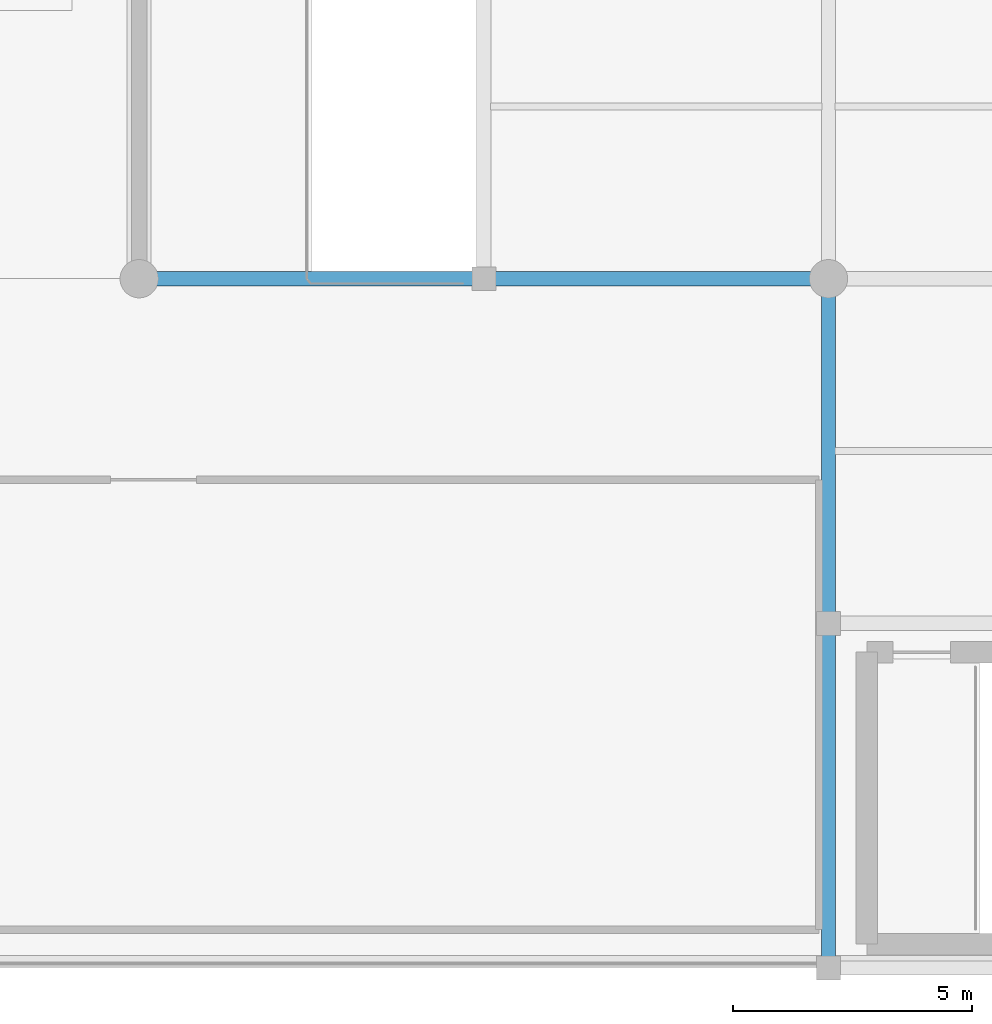
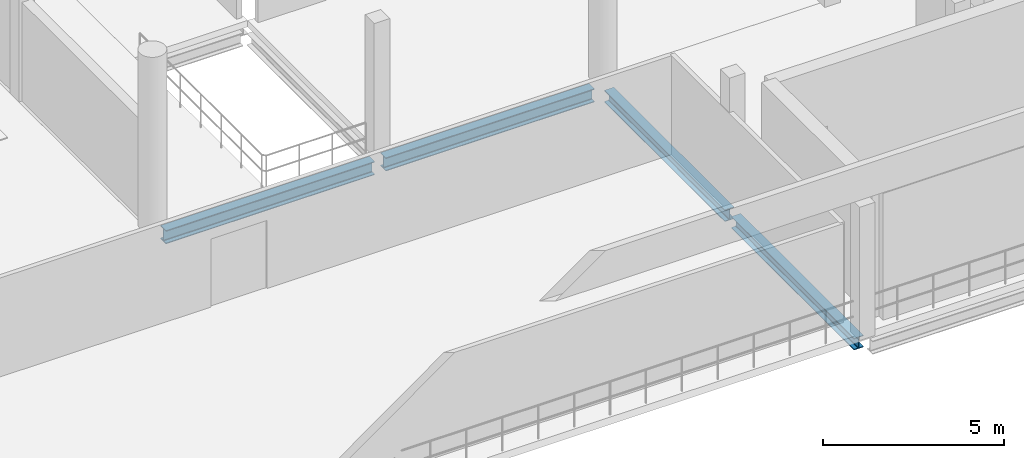
# One storey, part 3 of 64: 4 beams.
"""IFC4 building model written with IfcOpenShell, lengths in metres."""

from ifc_helpers import new_model, si_unit, direction, frame, origin, origin_2d, place, context, subcontext, project, spatial, i_section, extrude, material, material_profile, profile_set, type_object, element, save


model = new_model("IFC4")

# Units and contexts
model_context = context("Model", 3, precision=1e-05, world=origin(), true_north=direction((0.0, 1.0)))
body_context = subcontext(model_context, "Body", "Model", "MODEL_VIEW")
ifc_project = project(units=[si_unit("LENGTHUNIT", "METRE"), si_unit("AREAUNIT", "SQUARE_METRE"), si_unit("VOLUMEUNIT", "CUBIC_METRE"), si_unit("PLANEANGLEUNIT", "RADIAN"), si_unit("MASSUNIT", "GRAM", prefix="KILO")], contexts=[model_context])

# Site, building, storey
site_placement = place(None, origin())
site = spatial("IfcSite", under=ifc_project, at=site_placement, CompositionType="ELEMENT")
building_placement = place(site_placement, origin())
building = spatial("IfcBuilding", under=site, at=building_placement, Name="Qandorah Velis Arena", CompositionType="ELEMENT")
storey_placement = place(building_placement, frame((0.0, 0.0, 23.0)))
storey = spatial("IfcBuildingStorey", under=building, at=storey_placement, Name="L05", CompositionType="ELEMENT", Elevation=23.0)

# Beams
ifc_material = material(Name="Steel S355", Category="steel")
ifc_material_profile_1 = material_profile(ifc_material, i_section(OverallWidth=0.300048828125, OverallDepth=0.39990234375, WebThickness=0.013427734375, FlangeThickness=0.02392578125, FilletRadius=0.027099609375, at=origin_2d()), Name="HEB 400")
ifc_profile_set_1 = profile_set([ifc_material_profile_1], Name="Steel S355")
beam_type_1 = type_object("IfcBeamType", Name="STR-BM-HEB400", PredefinedType="BEAM", material=ifc_profile_set_1)
beam_1_placement = place(storey_placement, frame((28.800048828125, 0.22509765625, -0.449951171875), z_axis=(0.0, 1.0, 0.0), x_axis=(-1.0, 0.0, 0.0)))
element("IfcBeam", 1, at=beam_1_placement, inside=storey, type_object=beam_type_1, Name="Primary floor girder L05 Y-152", PredefinedType="BEAM", context=body_context, shape_type="SweptSolid", body=[
    extrude(i_section(OverallWidth=0.300048828125, OverallDepth=0.39990234375, WebThickness=0.013427734375, FlangeThickness=0.02392578125, FilletRadius=0.027099609375, at=origin_2d()), origin(), (0.0, 0.0, 1.0), 6.79638671875),
])
beam_2_placement = place(storey_placement, frame((28.800048828125, 7.37841796875, -0.449951171875), z_axis=(0.0, 1.0, 0.0), x_axis=(-1.0, 0.0, 0.0)))
element("IfcBeam", 2, at=beam_2_placement, inside=storey, type_object=beam_type_1, Name="Primary floor girder L05 Y-153", PredefinedType="BEAM", context=body_context, shape_type="SweptSolid", body=[
    extrude(i_section(OverallWidth=0.300048828125, OverallDepth=0.39990234375, WebThickness=0.013427734375, FlangeThickness=0.02392578125, FilletRadius=0.027099609375, at=origin_2d()), origin(), (0.0, 0.0, 1.0), 6.671630859375),
])
ifc_material_profile_2 = material_profile(ifc_material, i_section(OverallWidth=0.300048828125, OverallDepth=0.449951171875, WebThickness=0.013916015625, FlangeThickness=0.02587890625, FilletRadius=0.027099609375, at=origin_2d()), Name="HEB 450")
ifc_profile_set_2 = profile_set([ifc_material_profile_2], Name="Steel S355")
beam_type_2 = type_object("IfcBeamType", Name="STR-BM-HEB450", PredefinedType="BEAM", material=ifc_profile_set_2)
for number, where, z_axis, x_axis, name in (
    (3, (14.75, 14.39990234375, -0.47509765625), (1.0, 0.0, 0.0), (0.0, 1.0, 0.0), "Primary floor girder L05 X-019"),
    (4, (21.778564453125, 14.39990234375, -0.47509765625), (1.0, 0.0, 0.0), (0.0, 1.0, 0.0), "Primary floor girder L05 X-020"),
):
    element("IfcBeam", number, at=place(storey_placement, frame(where, z_axis=z_axis, x_axis=x_axis)), inside=storey, type_object=beam_type_2, Name=name, PredefinedType="BEAM", context=body_context, shape_type="SweptSolid", body=[
        extrude(i_section(OverallWidth=0.300048828125, OverallDepth=0.449951171875, WebThickness=0.013916015625, FlangeThickness=0.02587890625, FilletRadius=0.027099609375, at=origin_2d()), origin(), (0.0, 0.0, 1.0), 6.67138671875),
    ])

save(model, "model.ifc")
